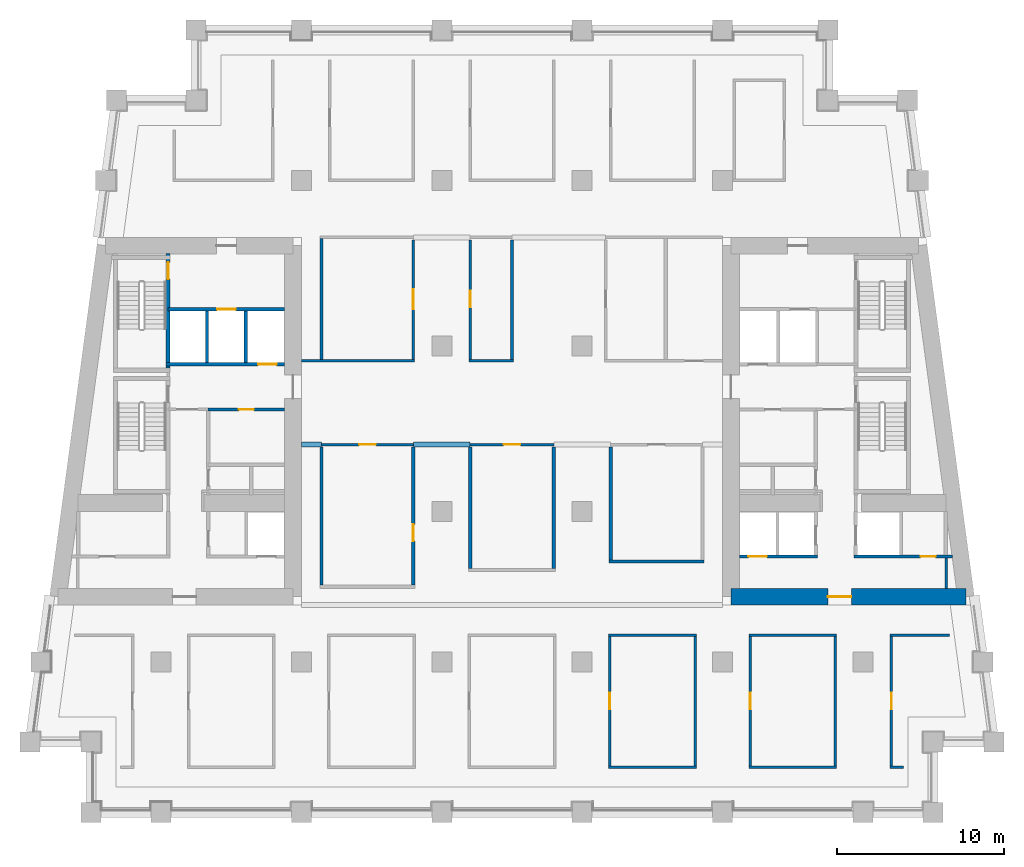
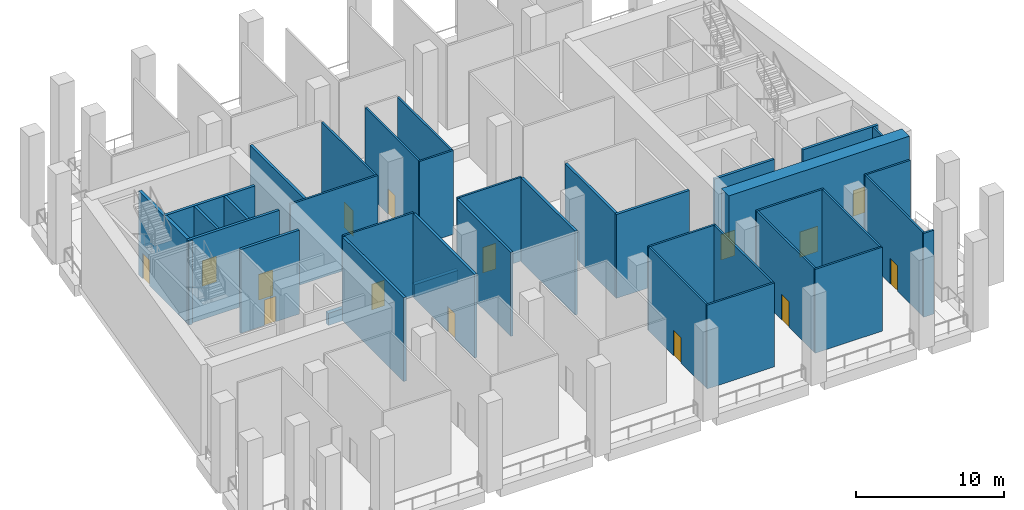
# One storey, part 3 of 10: 37 walls, 15 doors, 15 openings.
"""IFC4 building model written with IfcOpenShell, lengths in metres."""

from ifc_helpers import new_model, si_unit, direction, frame, frame_2d, origin, place, context, subcontext, project, spatial, rectangle, extrude, material, layer, layer_set, type_object, element, fill, save


model = new_model("IFC4")

# Units and contexts
model_context = context("Model", 3, precision=1e-05, world=origin(), true_north=direction((0.0, 1.0)))
body_context = subcontext(model_context, "Body", "Model", "MODEL_VIEW")
ifc_project = project(units=[si_unit("LENGTHUNIT", "METRE"), si_unit("AREAUNIT", "SQUARE_METRE"), si_unit("VOLUMEUNIT", "CUBIC_METRE"), si_unit("PLANEANGLEUNIT", "RADIAN"), si_unit("MASSUNIT", "GRAM", prefix="KILO")], contexts=[model_context])

# Site, building, storey
site_placement = place(None, origin())
site = spatial("IfcSite", under=ifc_project, at=site_placement, CompositionType="ELEMENT")
building_placement = place(site_placement, origin())
building = spatial("IfcBuilding", under=site, at=building_placement, Name="Candeia Pilgrim Tower and Theatre", CompositionType="ELEMENT")
storey_placement = place(building_placement, frame((0.0, 0.0, 135.39990234375)))
storey = spatial("IfcBuildingStorey", under=building, at=storey_placement, Name="L32", CompositionType="ELEMENT", Elevation=135.39990234375)

# Wall, opening, door
ifc_material_1 = material(Name="Concrete C70/85", Category="concrete")
ifc_layer_1 = layer(ifc_material_1, 1.0)
ifc_layer_set_1 = layer_set([ifc_layer_1], Name="Core wall 1000 C70/85")
wall_type_1 = type_object("IfcWallType", Name="Core wall 1000 C70/85", PredefinedType="SHEAR", material=ifc_layer_set_1)
wall_1_placement = place(storey_placement, frame((140.558837890625, 110.89990234375, 0.0), z_axis=(0.0, 0.0, 1.0), x_axis=(-1.0, 0.0, 0.0)))
wall_1 = element("IfcWall", 1, at=wall_1_placement, inside=storey, type_object=wall_type_1, Name="Core wall E3", PredefinedType="SHEAR", context=body_context, shape_type="SweptSolid", body=[
    extrude(rectangle(XDim=14.058837890625, YDim=1.0, at=frame_2d((7.029296875, 0.0))), origin(), (0.0, 0.0, 1.0), 7.400146484375),
])
opening_1_placement = place(wall_1_placement, frame((6.857666015625, 0.0, 0.0)))
opening_1 = element("IfcOpeningElement", 2, at=opening_1_placement, cuts=wall_1, Name="Opening L32-D037", PredefinedType="OPENING", context=body_context, shape_type="SweptSolid", body=[
    extrude(rectangle(XDim=1.39990234375, YDim=2.10009765625, at=frame_2d((0.699951171875, 1.050048828125))), frame((0.0, 0.510009765625, 0.0), z_axis=(0.0, -1.0, 0.0), x_axis=(1.0, 0.0, 0.0)), (0.0, 0.0, 1.0), 1.02001953125),
])
ifc_material_2 = material(Name="Steel fire door set", Category="steel")
door_type_1 = type_object("IfcDoorType", Name="D-1400-FD60", OperationType="NOTDEFINED", PredefinedType="DOOR", material=ifc_material_2)
door_1_placement = place(opening_1_placement, origin())
door_1 = element("IfcDoor", 3, at=door_1_placement, inside=storey, type_object=door_type_1, Name="Door L32-D037", OperationType="SINGLE_SWING_LEFT", OverallHeight=2.10009765625, OverallWidth=1.39990234375, PredefinedType="DOOR", context=body_context, shape_type="SweptSolid", body=[
    extrude(rectangle(XDim=1.39990234375, YDim=2.10009765625, at=frame_2d((0.699951171875, 1.050048828125))), frame((0.0, 0.02490234375, 0.0), z_axis=(0.0, -1.0, 0.0), x_axis=(1.0, 0.0, 0.0)), (0.0, 0.0, 1.0), 0.050048828125),
])
fill(opening_1, door_1)

# Walls
ifc_material_3 = material(Name="Concrete C30/37", Category="concrete")
ifc_layer_2 = layer(ifc_material_3, 0.300048828125)
ifc_layer_set_2 = layer_set([ifc_layer_2], Name="PL-300 planter kerb")
wall_type_2 = type_object("IfcWallType", Name="PL-300 planter kerb", PredefinedType="PARTITIONING", material=ifc_layer_set_2)
wall_2_placement = place(storey_placement, frame((100.800048828125, 120.0, 0.0), z_axis=(0.0, 0.0, 1.0), x_axis=(1.0, 0.0, 0.0)))
element("IfcWall", 4, at=wall_2_placement, inside=storey, type_object=wall_type_2, Name="Planter kerb L32-031", PredefinedType="PARTITIONING", context=body_context, shape_type="SweptSolid", body=[
    extrude(rectangle(XDim=1.199951171875, YDim=0.300048828125, at=frame_2d((0.60009765625, 0.0))), origin(), (0.0, 0.0, 1.0), 1.0),
])
wall_3_placement = place(storey_placement, frame((107.5, 120.0, 0.0), z_axis=(0.0, 0.0, 1.0), x_axis=(1.0, 0.0, 0.0)))
element("IfcWall", 5, at=wall_3_placement, inside=storey, type_object=wall_type_2, Name="Planter kerb L32-032", PredefinedType="PARTITIONING", context=body_context, shape_type="SweptSolid", body=[
    extrude(rectangle(XDim=3.39990234375, YDim=0.300048828125, at=frame_2d((1.699951171875, 0.0))), origin(), (0.0, 0.0, 1.0), 1.0),
])
ifc_material_4 = material(Name="Gypsum board partition on steel studs", Category="steel")
ifc_layer_3 = layer(ifc_material_4, 0.14990234375)
ifc_layer_set_3 = layer_set([ifc_layer_3], Name="PW-150 lobby wall")
wall_type_3 = type_object("IfcWallType", Name="PW-150 lobby wall", PredefinedType="PARTITIONING", material=ifc_layer_set_3)
wall_4_placement = place(storey_placement, frame((139.37109375, 111.39990234375, 0.0), z_axis=(0.0, 0.0, 1.0), x_axis=(0.0, 1.0, 0.0)))
element("IfcWall", 6, at=wall_4_placement, inside=storey, type_object=wall_type_3, Name="Lobby wall L32-134", PredefinedType="PARTITIONING", context=body_context, shape_type="SweptSolid", body=[
    extrude(rectangle(XDim=1.800048828125, YDim=0.14990234375, at=frame_2d((0.89990234375, 0.0))), origin(), (0.0, 0.0, 1.0), 6.900146484375),
])
ifc_layer_4 = layer(ifc_material_4, 0.14990234375)
ifc_layer_set_4 = layer_set([ifc_layer_4], Name="PW-150 unit wall")
wall_type_4 = type_object("IfcWallType", Name="PW-150 unit wall", PredefinedType="PARTITIONING", material=ifc_layer_set_4)
for number, where, z_axis, x_axis, name in (
    (7, (119.175048828125, 100.699951171875, 0.0), (0.0, 0.0, 1.0), (1.0, 0.0, 0.0), "Unit wall L32-005"),
    (8, (127.574951171875, 100.699951171875, 0.0), (0.0, 0.0, 1.0), (1.0, 0.0, 0.0), "Unit wall L32-006"),
):
    element("IfcWall", number, at=place(storey_placement, frame(where, z_axis=z_axis, x_axis=x_axis)), inside=storey, type_object=wall_type_4, Name=name, PredefinedType="PARTITIONING", context=body_context, shape_type="SweptSolid", body=[
        extrude(rectangle(XDim=5.25, YDim=0.14990234375, at=frame_2d((2.625, 0.0))), origin(), (0.0, 0.0, 1.0), 6.900146484375),
    ])
wall_5_placement = place(storey_placement, frame((136.02490234375, 100.699951171875, 0.0), z_axis=(0.0, 0.0, 1.0), x_axis=(1.0, 0.0, 0.0)))
element("IfcWall", 9, at=wall_5_placement, inside=storey, type_object=wall_type_4, Name="Unit wall L32-007", PredefinedType="PARTITIONING", context=body_context, shape_type="SweptSolid", body=[
    extrude(rectangle(XDim=0.78515625, YDim=0.14990234375, at=frame_2d((0.392578125, 0.0))), origin(), (0.0, 0.0, 1.0), 6.900146484375),
])
for number, where, z_axis, x_axis, name in (
    (10, (119.175048828125, 108.60009765625, 0.0), (0.0, 0.0, 1.0), (1.0, 0.0, 0.0), "Unit wall L32-012"),
    (11, (127.574951171875, 108.60009765625, 0.0), (0.0, 0.0, 1.0), (1.0, 0.0, 0.0), "Unit wall L32-013"),
):
    element("IfcWall", number, at=place(storey_placement, frame(where, z_axis=z_axis, x_axis=x_axis)), inside=storey, type_object=wall_type_4, Name=name, PredefinedType="PARTITIONING", context=body_context, shape_type="SweptSolid", body=[
        extrude(rectangle(XDim=5.25, YDim=0.14990234375, at=frame_2d((2.625, 0.0))), origin(), (0.0, 0.0, 1.0), 6.900146484375),
    ])
wall_6_placement = place(storey_placement, frame((136.02490234375, 108.60009765625, 0.0), z_axis=(0.0, 0.0, 1.0), x_axis=(1.0, 0.0, 0.0)))
element("IfcWall", 12, at=wall_6_placement, inside=storey, type_object=wall_type_4, Name="Unit wall L32-014", PredefinedType="PARTITIONING", context=body_context, shape_type="SweptSolid", body=[
    extrude(rectangle(XDim=3.5419921875, YDim=0.14990234375, at=frame_2d((1.77099609375, 0.0))), origin(), (0.0, 0.0, 1.0), 6.900146484375),
])

# Wall, opening, door
wall_7_placement = place(storey_placement, frame((102.0, 120.0, 0.0), z_axis=(0.0, 0.0, 1.0), x_axis=(1.0, 0.0, 0.0)))
wall_7 = element("IfcWall", 13, at=wall_7_placement, inside=storey, type_object=wall_type_4, Name="Unit wall L32-035", PredefinedType="PARTITIONING", context=body_context, shape_type="SweptSolid", body=[
    extrude(rectangle(XDim=5.5, YDim=0.14990234375, at=frame_2d((2.75, 0.0))), origin(), (0.0, 0.0, 1.0), 6.900146484375),
])
opening_2_placement = place(wall_7_placement, frame((2.25, 0.0, 0.0)))
opening_2 = element("IfcOpeningElement", 14, at=opening_2_placement, cuts=wall_7, Name="Opening L32-D001", PredefinedType="OPENING", context=body_context, shape_type="SweptSolid", body=[
    extrude(rectangle(XDim=1.0, YDim=2.10009765625, at=frame_2d((0.5, 1.050048828125))), frame((0.0, 0.0849609375, 0.0), z_axis=(0.0, -1.0, 0.0), x_axis=(1.0, 0.0, 0.0)), (0.0, 0.0, 1.0), 0.169921875),
])
ifc_material_5 = material(Name="Timber door leaf", Category="wood")
door_type_2 = type_object("IfcDoorType", Name="D-1000", OperationType="NOTDEFINED", PredefinedType="DOOR", material=ifc_material_5)
door_2_placement = place(opening_2_placement, origin())
door_2 = element("IfcDoor", 15, at=door_2_placement, inside=storey, type_object=door_type_2, Name="Door L32-D001", OperationType="SINGLE_SWING_LEFT", OverallHeight=2.10009765625, OverallWidth=1.0, PredefinedType="DOOR", context=body_context, shape_type="SweptSolid", body=[
    extrude(rectangle(XDim=1.0, YDim=2.10009765625, at=frame_2d((0.5, 1.050048828125))), frame((0.0, 0.02490234375, 0.0), z_axis=(0.0, -1.0, 0.0), x_axis=(1.0, 0.0, 0.0)), (0.0, 0.0, 1.0), 0.050048828125),
])
fill(opening_2, door_2)

wall_8_placement = place(storey_placement, frame((110.89990234375, 120.0, 0.0), z_axis=(0.0, 0.0, 1.0), x_axis=(1.0, 0.0, 0.0)))
wall_8 = element("IfcWall", 16, at=wall_8_placement, inside=storey, type_object=wall_type_4, Name="Unit wall L32-036", PredefinedType="PARTITIONING", context=body_context, shape_type="SweptSolid", body=[
    extrude(rectangle(XDim=5.0, YDim=0.14990234375, at=frame_2d((2.5, 0.0))), origin(), (0.0, 0.0, 1.0), 6.900146484375),
])
opening_3_placement = place(wall_8_placement, frame((2.0, 0.0, 0.0)))
opening_3 = element("IfcOpeningElement", 17, at=opening_3_placement, cuts=wall_8, Name="Opening L32-D002", PredefinedType="OPENING", context=body_context, shape_type="SweptSolid", body=[
    extrude(rectangle(XDim=1.0, YDim=2.10009765625, at=frame_2d((0.5, 1.050048828125))), frame((0.0, 0.0849609375, 0.0), z_axis=(0.0, -1.0, 0.0), x_axis=(1.0, 0.0, 0.0)), (0.0, 0.0, 1.0), 0.169921875),
])
door_3_placement = place(opening_3_placement, origin())
door_3 = element("IfcDoor", 18, at=door_3_placement, inside=storey, type_object=door_type_2, Name="Door L32-D002", OperationType="SINGLE_SWING_RIGHT", OverallHeight=2.10009765625, OverallWidth=1.0, PredefinedType="DOOR", context=body_context, shape_type="SweptSolid", body=[
    extrude(rectangle(XDim=1.0, YDim=2.10009765625, at=frame_2d((0.5, 1.050048828125))), frame((0.0, 0.02490234375, 0.0), z_axis=(0.0, -1.0, 0.0), x_axis=(1.0, 0.0, 0.0)), (0.0, 0.0, 1.0), 0.050048828125),
])
fill(opening_3, door_3)

# Walls
wall_9_placement = place(storey_placement, frame((100.800048828125, 125.0, 0.0), z_axis=(0.0, 0.0, 1.0), x_axis=(1.0, 0.0, 0.0)))
element("IfcWall", 19, at=wall_9_placement, inside=storey, type_object=wall_type_4, Name="Unit wall L32-049", PredefinedType="PARTITIONING", context=body_context, shape_type="SweptSolid", body=[
    extrude(rectangle(XDim=6.77490234375, YDim=0.14990234375, at=frame_2d((3.387451171875, 0.0))), origin(), (0.0, 0.0, 1.0), 6.900146484375),
])
wall_10_placement = place(storey_placement, frame((110.824951171875, 125.0, 0.0), z_axis=(0.0, 0.0, 1.0), x_axis=(1.0, 0.0, 0.0)))
element("IfcWall", 20, at=wall_10_placement, inside=storey, type_object=wall_type_4, Name="Unit wall L32-050", PredefinedType="PARTITIONING", context=body_context, shape_type="SweptSolid", body=[
    extrude(rectangle(XDim=2.650146484375, YDim=0.14990234375, at=frame_2d((1.3251953125, 0.0))), origin(), (0.0, 0.0, 1.0), 6.900146484375),
])

# Wall, opening, door
wall_11_placement = place(storey_placement, frame((107.5, 125.074951171875, 0.0), z_axis=(0.0, 0.0, 1.0), x_axis=(0.0, 1.0, 0.0)))
wall_11 = element("IfcWall", 21, at=wall_11_placement, inside=storey, type_object=wall_type_4, Name="Unit wall L32-094", PredefinedType="PARTITIONING", context=body_context, shape_type="SweptSolid", body=[
    extrude(rectangle(XDim=7.175048828125, YDim=0.14990234375, at=frame_2d((3.58740234375, 0.0))), origin(), (0.0, 0.0, 1.0), 6.900146484375),
])
opening_4_placement = place(wall_11_placement, frame((3.02490234375, 0.0, 0.0)))
opening_4 = element("IfcOpeningElement", 22, at=opening_4_placement, cuts=wall_11, Name="Opening L32-D003", PredefinedType="OPENING", context=body_context, shape_type="SweptSolid", body=[
    extrude(rectangle(XDim=1.199951171875, YDim=2.10009765625, at=frame_2d((0.60009765625, 1.050048828125))), frame((0.0, 0.0849609375, 0.0), z_axis=(0.0, -1.0, 0.0), x_axis=(1.0, 0.0, 0.0)), (0.0, 0.0, 1.0), 0.169921875),
])
door_type_3 = type_object("IfcDoorType", Name="D-1200", OperationType="NOTDEFINED", PredefinedType="DOOR", material=ifc_material_5)
door_4_placement = place(opening_4_placement, origin())
door_4 = element("IfcDoor", 23, at=door_4_placement, inside=storey, type_object=door_type_3, Name="Door L32-D003", OperationType="SINGLE_SWING_LEFT", OverallHeight=2.10009765625, OverallWidth=1.199951171875, PredefinedType="DOOR", context=body_context, shape_type="SweptSolid", body=[
    extrude(rectangle(XDim=1.199951171875, YDim=2.10009765625, at=frame_2d((0.60009765625, 1.050048828125))), frame((0.0, 0.02490234375, 0.0), z_axis=(0.0, -1.0, 0.0), x_axis=(1.0, 0.0, 0.0)), (0.0, 0.0, 1.0), 0.050048828125),
])
fill(opening_4, door_4)

wall_12_placement = place(storey_placement, frame((110.89990234375, 125.074951171875, 0.0), z_axis=(0.0, 0.0, 1.0), x_axis=(0.0, 1.0, 0.0)))
wall_12 = element("IfcWall", 24, at=wall_12_placement, inside=storey, type_object=wall_type_4, Name="Unit wall L32-099", PredefinedType="PARTITIONING", context=body_context, shape_type="SweptSolid", body=[
    extrude(rectangle(XDim=7.175048828125, YDim=0.14990234375, at=frame_2d((3.58740234375, 0.0))), origin(), (0.0, 0.0, 1.0), 6.900146484375),
])
opening_5_placement = place(wall_12_placement, frame((3.125, 0.0, 0.0)))
opening_5 = element("IfcOpeningElement", 25, at=opening_5_placement, cuts=wall_12, Name="Opening L32-D004", PredefinedType="OPENING", context=body_context, shape_type="SweptSolid", body=[
    extrude(rectangle(XDim=1.0, YDim=2.10009765625, at=frame_2d((0.5, 1.050048828125))), frame((0.0, 0.0849609375, 0.0), z_axis=(0.0, -1.0, 0.0), x_axis=(1.0, 0.0, 0.0)), (0.0, 0.0, 1.0), 0.169921875),
])
door_5_placement = place(opening_5_placement, origin())
door_5 = element("IfcDoor", 26, at=door_5_placement, inside=storey, type_object=door_type_2, Name="Door L32-D004", OperationType="SINGLE_SWING_RIGHT", OverallHeight=2.10009765625, OverallWidth=1.0, PredefinedType="DOOR", context=body_context, shape_type="SweptSolid", body=[
    extrude(rectangle(XDim=1.0, YDim=2.10009765625, at=frame_2d((0.5, 1.050048828125))), frame((0.0, 0.02490234375, 0.0), z_axis=(0.0, -1.0, 0.0), x_axis=(1.0, 0.0, 0.0)), (0.0, 0.0, 1.0), 0.050048828125),
])
fill(opening_5, door_5)

# Wall
wall_13_placement = place(storey_placement, frame((113.39990234375, 125.074951171875, 0.0), z_axis=(0.0, 0.0, 1.0), x_axis=(0.0, 1.0, 0.0)))
element("IfcWall", 27, at=wall_13_placement, inside=storey, type_object=wall_type_4, Name="Unit wall L32-101", PredefinedType="PARTITIONING", context=body_context, shape_type="SweptSolid", body=[
    extrude(rectangle(XDim=7.175048828125, YDim=0.14990234375, at=frame_2d((3.58740234375, 0.0))), origin(), (0.0, 0.0, 1.0), 6.900146484375),
])

# Wall, opening, door
wall_14_placement = place(storey_placement, frame((119.25, 100.77490234375, 0.0), z_axis=(0.0, 0.0, 1.0), x_axis=(0.0, 1.0, 0.0)))
wall_14 = element("IfcWall", 28, at=wall_14_placement, inside=storey, type_object=wall_type_4, Name="Unit wall L32-106", PredefinedType="PARTITIONING", context=body_context, shape_type="SweptSolid", body=[
    extrude(rectangle(XDim=7.75, YDim=0.14990234375, at=frame_2d((3.875, 0.0))), origin(), (0.0, 0.0, 1.0), 6.900146484375),
])
opening_6_placement = place(wall_14_placement, frame((3.375, 0.0, 0.0)))
opening_6 = element("IfcOpeningElement", 29, at=opening_6_placement, cuts=wall_14, Name="Opening L32-D012", PredefinedType="OPENING", context=body_context, shape_type="SweptSolid", body=[
    extrude(rectangle(XDim=1.0, YDim=2.10009765625, at=frame_2d((0.5, 1.050048828125))), frame((0.0, 0.0849609375, 0.0), z_axis=(0.0, -1.0, 0.0), x_axis=(1.0, 0.0, 0.0)), (0.0, 0.0, 1.0), 0.169921875),
])
door_6_placement = place(opening_6_placement, origin())
door_6 = element("IfcDoor", 30, at=door_6_placement, inside=storey, type_object=door_type_2, Name="Door L32-D012", OperationType="SINGLE_SWING_RIGHT", OverallHeight=2.10009765625, OverallWidth=1.0, PredefinedType="DOOR", context=body_context, shape_type="SweptSolid", body=[
    extrude(rectangle(XDim=1.0, YDim=2.10009765625, at=frame_2d((0.5, 1.050048828125))), frame((0.0, 0.02490234375, 0.0), z_axis=(0.0, -1.0, 0.0), x_axis=(1.0, 0.0, 0.0)), (0.0, 0.0, 1.0), 0.050048828125),
])
fill(opening_6, door_6)

# Wall
wall_15_placement = place(storey_placement, frame((124.35009765625, 100.77490234375, 0.0), z_axis=(0.0, 0.0, 1.0), x_axis=(0.0, 1.0, 0.0)))
element("IfcWall", 31, at=wall_15_placement, inside=storey, type_object=wall_type_4, Name="Unit wall L32-111", PredefinedType="PARTITIONING", context=body_context, shape_type="SweptSolid", body=[
    extrude(rectangle(XDim=7.75, YDim=0.14990234375, at=frame_2d((3.875, 0.0))), origin(), (0.0, 0.0, 1.0), 6.900146484375),
])

# Wall, opening, door
wall_16_placement = place(storey_placement, frame((127.64990234375, 100.77490234375, 0.0), z_axis=(0.0, 0.0, 1.0), x_axis=(0.0, 1.0, 0.0)))
wall_16 = element("IfcWall", 32, at=wall_16_placement, inside=storey, type_object=wall_type_4, Name="Unit wall L32-114", PredefinedType="PARTITIONING", context=body_context, shape_type="SweptSolid", body=[
    extrude(rectangle(XDim=7.75, YDim=0.14990234375, at=frame_2d((3.875, 0.0))), origin(), (0.0, 0.0, 1.0), 6.900146484375),
])
opening_7_placement = place(wall_16_placement, frame((3.375, 0.0, 0.0)))
opening_7 = element("IfcOpeningElement", 33, at=opening_7_placement, cuts=wall_16, Name="Opening L32-D013", PredefinedType="OPENING", context=body_context, shape_type="SweptSolid", body=[
    extrude(rectangle(XDim=1.0, YDim=2.10009765625, at=frame_2d((0.5, 1.050048828125))), frame((0.0, 0.0849609375, 0.0), z_axis=(0.0, -1.0, 0.0), x_axis=(1.0, 0.0, 0.0)), (0.0, 0.0, 1.0), 0.169921875),
])
door_7_placement = place(opening_7_placement, origin())
door_7 = element("IfcDoor", 34, at=door_7_placement, inside=storey, type_object=door_type_2, Name="Door L32-D013", OperationType="SINGLE_SWING_LEFT", OverallHeight=2.10009765625, OverallWidth=1.0, PredefinedType="DOOR", context=body_context, shape_type="SweptSolid", body=[
    extrude(rectangle(XDim=1.0, YDim=2.10009765625, at=frame_2d((0.5, 1.050048828125))), frame((0.0, 0.02490234375, 0.0), z_axis=(0.0, -1.0, 0.0), x_axis=(1.0, 0.0, 0.0)), (0.0, 0.0, 1.0), 0.050048828125),
])
fill(opening_7, door_7)

# Wall
wall_17_placement = place(storey_placement, frame((132.75, 100.77490234375, 0.0), z_axis=(0.0, 0.0, 1.0), x_axis=(0.0, 1.0, 0.0)))
element("IfcWall", 35, at=wall_17_placement, inside=storey, type_object=wall_type_4, Name="Unit wall L32-123", PredefinedType="PARTITIONING", context=body_context, shape_type="SweptSolid", body=[
    extrude(rectangle(XDim=7.75, YDim=0.14990234375, at=frame_2d((3.875, 0.0))), origin(), (0.0, 0.0, 1.0), 6.900146484375),
])

# Wall, opening, door
wall_18_placement = place(storey_placement, frame((136.10009765625, 100.77490234375, 0.0), z_axis=(0.0, 0.0, 1.0), x_axis=(0.0, 1.0, 0.0)))
wall_18 = element("IfcWall", 36, at=wall_18_placement, inside=storey, type_object=wall_type_4, Name="Unit wall L32-129", PredefinedType="PARTITIONING", context=body_context, shape_type="SweptSolid", body=[
    extrude(rectangle(XDim=7.75, YDim=0.14990234375, at=frame_2d((3.875, 0.0))), origin(), (0.0, 0.0, 1.0), 6.900146484375),
])
opening_8_placement = place(wall_18_placement, frame((3.375, 0.0, 0.0)))
opening_8 = element("IfcOpeningElement", 37, at=opening_8_placement, cuts=wall_18, Name="Opening L32-D014", PredefinedType="OPENING", context=body_context, shape_type="SweptSolid", body=[
    extrude(rectangle(XDim=1.0, YDim=2.10009765625, at=frame_2d((0.5, 1.050048828125))), frame((0.0, 0.0849609375, 0.0), z_axis=(0.0, -1.0, 0.0), x_axis=(1.0, 0.0, 0.0)), (0.0, 0.0, 1.0), 0.169921875),
])
door_8_placement = place(opening_8_placement, origin())
door_8 = element("IfcDoor", 38, at=door_8_placement, inside=storey, type_object=door_type_2, Name="Door L32-D014", OperationType="SINGLE_SWING_RIGHT", OverallHeight=2.10009765625, OverallWidth=1.0, PredefinedType="DOOR", context=body_context, shape_type="SweptSolid", body=[
    extrude(rectangle(XDim=1.0, YDim=2.10009765625, at=frame_2d((0.5, 1.050048828125))), frame((0.0, 0.02490234375, 0.0), z_axis=(0.0, -1.0, 0.0), x_axis=(1.0, 0.0, 0.0)), (0.0, 0.0, 1.0), 0.050048828125),
])
fill(opening_8, door_8)

# Walls
ifc_layer_5 = layer(ifc_material_4, 0.199951171875)
ifc_layer_set_5 = layer_set([ifc_layer_5], Name="PW-200 party wall")
wall_type_5 = type_object("IfcWallType", Name="PW-200 party wall", PredefinedType="PARTITIONING", material=ifc_layer_set_5)
wall_19_placement = place(storey_placement, frame((119.199951171875, 113.0, 0.0), z_axis=(0.0, 0.0, 1.0), x_axis=(1.0, 0.0, 0.0)))
element("IfcWall", 39, at=wall_19_placement, inside=storey, type_object=wall_type_5, Name="Party wall L32-018", PredefinedType="PARTITIONING", context=body_context, shape_type="SweptSolid", body=[
    extrude(rectangle(XDim=5.699951171875, YDim=0.199951171875, at=frame_2d((2.85009765625, 0.0))), origin(), (0.0, 0.0, 1.0), 6.900146484375),
])
wall_20_placement = place(storey_placement, frame((102.0, 111.60009765625, 0.0), z_axis=(0.0, 0.0, 1.0), x_axis=(0.0, 1.0, 0.0)))
element("IfcWall", 40, at=wall_20_placement, inside=storey, type_object=wall_type_5, Name="Party wall L32-089", PredefinedType="PARTITIONING", context=body_context, shape_type="SweptSolid", body=[
    extrude(rectangle(XDim=8.25, YDim=0.199951171875, at=frame_2d((4.125, 0.0))), origin(), (0.0, 0.0, 1.0), 6.900146484375),
])
wall_21_placement = place(storey_placement, frame((102.0, 125.074951171875, 0.0), z_axis=(0.0, 0.0, 1.0), x_axis=(0.0, 1.0, 0.0)))
element("IfcWall", 41, at=wall_21_placement, inside=storey, type_object=wall_type_5, Name="Party wall L32-090", PredefinedType="PARTITIONING", context=body_context, shape_type="SweptSolid", body=[
    extrude(rectangle(XDim=7.25, YDim=0.199951171875, at=frame_2d((3.625, 0.0))), origin(), (0.0, 0.0, 1.0), 6.900146484375),
])

# Wall, opening, door
wall_22_placement = place(storey_placement, frame((107.5, 111.60009765625, 0.0), z_axis=(0.0, 0.0, 1.0), x_axis=(0.0, 1.0, 0.0)))
wall_22 = element("IfcWall", 42, at=wall_22_placement, inside=storey, type_object=wall_type_5, Name="Party wall L32-093", PredefinedType="PARTITIONING", context=body_context, shape_type="SweptSolid", body=[
    extrude(rectangle(XDim=8.25, YDim=0.199951171875, at=frame_2d((4.125, 0.0))), origin(), (0.0, 0.0, 1.0), 6.900146484375),
])
opening_9_placement = place(wall_22_placement, frame((2.6298828125, 0.0, 0.0)))
opening_9 = element("IfcOpeningElement", 43, at=opening_9_placement, cuts=wall_22, Name="Opening L32-D020", PredefinedType="OPENING", context=body_context, shape_type="SweptSolid", body=[
    extrude(rectangle(XDim=1.0, YDim=2.10009765625, at=frame_2d((0.5, 1.050048828125))), frame((0.0, 0.10986328125, 0.0), z_axis=(0.0, -1.0, 0.0), x_axis=(1.0, 0.0, 0.0)), (0.0, 0.0, 1.0), 0.219970703125),
])
door_9_placement = place(opening_9_placement, origin())
door_9 = element("IfcDoor", 44, at=door_9_placement, inside=storey, type_object=door_type_2, Name="Door L32-D020", OperationType="SINGLE_SWING_RIGHT", OverallHeight=2.10009765625, OverallWidth=1.0, PredefinedType="DOOR", context=body_context, shape_type="SweptSolid", body=[
    extrude(rectangle(XDim=1.0, YDim=2.10009765625, at=frame_2d((0.5, 1.050048828125))), frame((0.0, 0.02490234375, 0.0), z_axis=(0.0, -1.0, 0.0), x_axis=(1.0, 0.0, 0.0)), (0.0, 0.0, 1.0), 0.050048828125),
])
fill(opening_9, door_9)

# Walls
for number, where, z_axis, x_axis, name in (
    (45, (110.89990234375, 112.60009765625, 0.0), (0.0, 0.0, 1.0), (0.0, 1.0, 0.0), "Party wall L32-098"),
    (46, (115.89990234375, 112.60009765625, 0.0), (0.0, 0.0, 1.0), (0.0, 1.0, 0.0), "Party wall L32-102"),
):
    element("IfcWall", number, at=place(storey_placement, frame(where, z_axis=z_axis, x_axis=x_axis)), inside=storey, type_object=wall_type_5, Name=name, PredefinedType="PARTITIONING", context=body_context, shape_type="SweptSolid", body=[
        extrude(rectangle(XDim=7.25, YDim=0.199951171875, at=frame_2d((3.625, 0.0))), origin(), (0.0, 0.0, 1.0), 6.900146484375),
    ])
wall_23_placement = place(storey_placement, frame((119.300048828125, 113.10009765625, 0.0), z_axis=(0.0, 0.0, 1.0), x_axis=(0.0, 1.0, 0.0)))
element("IfcWall", 47, at=wall_23_placement, inside=storey, type_object=wall_type_5, Name="Party wall L32-107", PredefinedType="PARTITIONING", context=body_context, shape_type="SweptSolid", body=[
    extrude(rectangle(XDim=6.75, YDim=0.199951171875, at=frame_2d((3.375, 0.0))), origin(), (0.0, 0.0, 1.0), 6.900146484375),
])

# Wall, opening, door
ifc_material_6 = material(Name="Concrete C40/50", Category="concrete")
ifc_layer_6 = layer(ifc_material_6, 0.199951171875)
ifc_layer_set_6 = layer_set([ifc_layer_6], Name="SW-200 shaft wall")
wall_type_6 = type_object("IfcWallType", Name="SW-200 shaft wall", PredefinedType="PARTITIONING", material=ifc_layer_set_6)
wall_24_placement = place(storey_placement, frame((127.0, 113.300048828125, 0.0), z_axis=(0.0, 0.0, 1.0), x_axis=(1.0, 0.0, 0.0)))
wall_24 = element("IfcWall", 48, at=wall_24_placement, inside=storey, type_object=wall_type_6, Name="Shaft wall L32-021", PredefinedType="PARTITIONING", context=body_context, shape_type="SweptSolid", body=[
    extrude(rectangle(XDim=4.673095703125, YDim=0.199951171875, at=frame_2d((2.33642578125, 0.0))), origin(), (0.0, 0.0, 1.0), 6.900146484375),
])
opening_10_placement = place(wall_24_placement, frame((0.544921875, 0.0, 0.0)))
opening_10 = element("IfcOpeningElement", 49, at=opening_10_placement, cuts=wall_24, Name="Opening L32-LD08", PredefinedType="OPENING", context=body_context, shape_type="SweptSolid", body=[
    extrude(rectangle(XDim=1.10009765625, YDim=2.10009765625, at=frame_2d((0.550048828125, 1.050048828125))), frame((0.0, 0.10986328125, 0.0), z_axis=(0.0, -1.0, 0.0), x_axis=(1.0, 0.0, 0.0)), (0.0, 0.0, 1.0), 0.219970703125),
])
ifc_material_7 = material(Name="Glazed aluminium landing door", Category="aluminium")
door_type_4 = type_object("IfcDoorType", Name="LD-1100-EI120", OperationType="SLIDING_TO_LEFT", PredefinedType="DOOR", material=ifc_material_7)
door_10_placement = place(opening_10_placement, origin())
door_10 = element("IfcDoor", 50, at=door_10_placement, inside=storey, type_object=door_type_4, Name="Landing door 08 L32", OperationType="SLIDING_TO_LEFT", OverallHeight=2.10009765625, OverallWidth=1.10009765625, PredefinedType="DOOR", context=body_context, shape_type="SweptSolid", body=[
    extrude(rectangle(XDim=1.10009765625, YDim=2.10009765625, at=frame_2d((0.550048828125, 1.050048828125))), frame((0.0, 0.02490234375, 0.0), z_axis=(0.0, -1.0, 0.0), x_axis=(1.0, 0.0, 0.0)), (0.0, 0.0, 1.0), 0.050048828125),
])
fill(opening_10, door_10)

wall_25_placement = place(storey_placement, frame((133.873046875, 113.300048828125, 0.0), z_axis=(0.0, 0.0, 1.0), x_axis=(1.0, 0.0, 0.0)))
wall_25 = element("IfcWall", 51, at=wall_25_placement, inside=storey, type_object=wall_type_6, Name="Shaft wall L32-022", PredefinedType="PARTITIONING", context=body_context, shape_type="SweptSolid", body=[
    extrude(rectangle(XDim=5.888427734375, YDim=0.199951171875, at=frame_2d((2.9443359375, 0.0))), origin(), (0.0, 0.0, 1.0), 6.900146484375),
])
opening_11_placement = place(wall_25_placement, frame((3.972900390625, 0.0, 0.0)))
opening_11 = element("IfcOpeningElement", 52, at=opening_11_placement, cuts=wall_25, Name="Opening L32-D033", PredefinedType="OPENING", context=body_context, shape_type="SweptSolid", body=[
    extrude(rectangle(XDim=0.89990234375, YDim=2.10009765625, at=frame_2d((0.449951171875, 1.050048828125))), frame((0.0, 0.10986328125, 0.0), z_axis=(0.0, -1.0, 0.0), x_axis=(1.0, 0.0, 0.0)), (0.0, 0.0, 1.0), 0.219970703125),
])
door_type_5 = type_object("IfcDoorType", Name="D-900-FD60", OperationType="NOTDEFINED", PredefinedType="DOOR", material=ifc_material_2)
door_11_placement = place(opening_11_placement, origin())
door_11 = element("IfcDoor", 53, at=door_11_placement, inside=storey, type_object=door_type_5, Name="Door L32-D033", OperationType="SINGLE_SWING_LEFT", OverallHeight=2.10009765625, OverallWidth=0.89990234375, PredefinedType="DOOR", context=body_context, shape_type="SweptSolid", body=[
    extrude(rectangle(XDim=0.89990234375, YDim=2.10009765625, at=frame_2d((0.449951171875, 1.050048828125))), frame((0.0, 0.02490234375, 0.0), z_axis=(0.0, -1.0, 0.0), x_axis=(1.0, 0.0, 0.0)), (0.0, 0.0, 1.0), 0.050048828125),
])
fill(opening_11, door_11)

wall_26_placement = place(storey_placement, frame((95.22705078125, 122.10009765625, 0.0), z_axis=(0.0, 0.0, 1.0), x_axis=(1.0, 0.0, 0.0)))
wall_26 = element("IfcWall", 54, at=wall_26_placement, inside=storey, type_object=wall_type_6, Name="Shaft wall L32-038", PredefinedType="PARTITIONING", context=body_context, shape_type="SweptSolid", body=[
    extrude(rectangle(XDim=4.572998046875, YDim=0.199951171875, at=frame_2d((2.28662109375, 0.0))), origin(), (0.0, 0.0, 1.0), 6.900146484375),
])
opening_12_placement = place(wall_26_placement, frame((1.8359375, 0.0, 0.0)))
opening_12 = element("IfcOpeningElement", 55, at=opening_12_placement, cuts=wall_26, Name="Opening L32-D022", PredefinedType="OPENING", context=body_context, shape_type="SweptSolid", body=[
    extrude(rectangle(XDim=0.89990234375, YDim=2.10009765625, at=frame_2d((0.449951171875, 1.050048828125))), frame((0.0, 0.10986328125, 0.0), z_axis=(0.0, -1.0, 0.0), x_axis=(1.0, 0.0, 0.0)), (0.0, 0.0, 1.0), 0.219970703125),
])
door_12_placement = place(opening_12_placement, origin())
door_12 = element("IfcDoor", 56, at=door_12_placement, inside=storey, type_object=door_type_5, Name="Door L32-D022", OperationType="SINGLE_SWING_RIGHT", OverallHeight=2.10009765625, OverallWidth=0.89990234375, PredefinedType="DOOR", context=body_context, shape_type="SweptSolid", body=[
    extrude(rectangle(XDim=0.89990234375, YDim=2.10009765625, at=frame_2d((0.449951171875, 1.050048828125))), frame((0.0, 0.02490234375, 0.0), z_axis=(0.0, -1.0, 0.0), x_axis=(1.0, 0.0, 0.0)), (0.0, 0.0, 1.0), 0.050048828125),
])
fill(opening_12, door_12)

wall_27_placement = place(storey_placement, frame((92.701904296875, 124.800048828125, 0.0), z_axis=(0.0, 0.0, 1.0), x_axis=(1.0, 0.0, 0.0)))
wall_27 = element("IfcWall", 57, at=wall_27_placement, inside=storey, type_object=wall_type_6, Name="Shaft wall L32-046", PredefinedType="PARTITIONING", context=body_context, shape_type="SweptSolid", body=[
    extrude(rectangle(XDim=7.09814453125, YDim=0.199951171875, at=frame_2d((3.549072265625, 0.0))), origin(), (0.0, 0.0, 1.0), 6.900146484375),
])
opening_13_placement = place(wall_27_placement, frame((5.51708984375, 0.0, 0.0)))
opening_13 = element("IfcOpeningElement", 58, at=opening_13_placement, cuts=wall_27, Name="Opening L32-LD02", PredefinedType="OPENING", context=body_context, shape_type="SweptSolid", body=[
    extrude(rectangle(XDim=1.10009765625, YDim=2.10009765625, at=frame_2d((0.550048828125, 1.050048828125))), frame((0.0, 0.10986328125, 0.0), z_axis=(0.0, -1.0, 0.0), x_axis=(1.0, 0.0, 0.0)), (0.0, 0.0, 1.0), 0.219970703125),
])
door_13_placement = place(opening_13_placement, origin())
door_13 = element("IfcDoor", 59, at=door_13_placement, inside=storey, type_object=door_type_4, Name="Landing door 02 L32", OperationType="SLIDING_TO_LEFT", OverallHeight=2.10009765625, OverallWidth=1.10009765625, PredefinedType="DOOR", context=body_context, shape_type="SweptSolid", body=[
    extrude(rectangle(XDim=1.10009765625, YDim=2.10009765625, at=frame_2d((0.550048828125, 1.050048828125))), frame((0.0, 0.02490234375, 0.0), z_axis=(0.0, -1.0, 0.0), x_axis=(1.0, 0.0, 0.0)), (0.0, 0.0, 1.0), 0.050048828125),
])
fill(opening_13, door_13)

wall_28_placement = place(storey_placement, frame((92.826904296875, 128.10009765625, 0.0), z_axis=(0.0, 0.0, 1.0), x_axis=(1.0, 0.0, 0.0)))
wall_28 = element("IfcWall", 60, at=wall_28_placement, inside=storey, type_object=wall_type_6, Name="Shaft wall L32-052", PredefinedType="PARTITIONING", context=body_context, shape_type="SweptSolid", body=[
    extrude(rectangle(XDim=6.97314453125, YDim=0.199951171875, at=frame_2d((3.486572265625, 0.0))), origin(), (0.0, 0.0, 1.0), 6.900146484375),
])
opening_14_placement = place(wall_28_placement, frame((2.93701171875, 0.0, 0.0)))
opening_14 = element("IfcOpeningElement", 61, at=opening_14_placement, cuts=wall_28, Name="Opening L32-LD01", PredefinedType="OPENING", context=body_context, shape_type="SweptSolid", body=[
    extrude(rectangle(XDim=1.10009765625, YDim=2.10009765625, at=frame_2d((0.550048828125, 1.050048828125))), frame((0.0, 0.10986328125, 0.0), z_axis=(0.0, -1.0, 0.0), x_axis=(1.0, 0.0, 0.0)), (0.0, 0.0, 1.0), 0.219970703125),
])
door_14_placement = place(opening_14_placement, origin())
door_14 = element("IfcDoor", 62, at=door_14_placement, inside=storey, type_object=door_type_4, Name="Landing door 01 L32", OperationType="SLIDING_TO_LEFT", OverallHeight=2.10009765625, OverallWidth=1.10009765625, PredefinedType="DOOR", context=body_context, shape_type="SweptSolid", body=[
    extrude(rectangle(XDim=1.10009765625, YDim=2.10009765625, at=frame_2d((0.550048828125, 1.050048828125))), frame((0.0, 0.02490234375, 0.0), z_axis=(0.0, -1.0, 0.0), x_axis=(1.0, 0.0, 0.0)), (0.0, 0.0, 1.0), 0.050048828125),
])
fill(opening_14, door_14)

# Walls
for number, where, z_axis, x_axis, name in (
    (63, (95.1513671875, 124.89990234375, 0.0), (0.0, 0.0, 1.0), (0.0, 1.0, 0.0), "Shaft wall L32-081"),
    (64, (97.4755859375, 124.89990234375, 0.0), (0.0, 0.0, 1.0), (0.0, 1.0, 0.0), "Shaft wall L32-084"),
):
    element("IfcWall", number, at=place(storey_placement, frame(where, z_axis=z_axis, x_axis=x_axis)), inside=storey, type_object=wall_type_6, Name=name, PredefinedType="PARTITIONING", context=body_context, shape_type="SweptSolid", body=[
        extrude(rectangle(XDim=3.10009765625, YDim=0.199951171875, at=frame_2d((1.550048828125, 0.0))), origin(), (0.0, 0.0, 1.0), 6.900146484375),
    ])

# Wall, opening, door
ifc_layer_7 = layer(ifc_material_6, 0.25)
ifc_layer_set_7 = layer_set([ifc_layer_7], Name="SW-250 stair wall")
wall_type_7 = type_object("IfcWallType", Name="SW-250 stair wall", PredefinedType="PARTITIONING", material=ifc_layer_set_7)
wall_29_placement = place(storey_placement, frame((92.826904296875, 124.574951171875, 0.0), z_axis=(0.0, 0.0, 1.0), x_axis=(0.0, 1.0, 0.0)))
wall_29 = element("IfcWall", 65, at=wall_29_placement, inside=storey, type_object=wall_type_7, Name="Stair wall L32-077", PredefinedType="PARTITIONING", context=body_context, shape_type="SweptSolid", body=[
    extrude(rectangle(XDim=6.85498046875, YDim=0.25, at=frame_2d((3.427490234375, 0.0))), origin(), (0.0, 0.0, 1.0), 6.900146484375),
])
opening_15_placement = place(wall_29_placement, frame((5.324951171875, 0.0, 0.0)))
opening_15 = element("IfcOpeningElement", 66, at=opening_15_placement, cuts=wall_29, Name="Opening L32-D024", PredefinedType="OPENING", context=body_context, shape_type="SweptSolid", body=[
    extrude(rectangle(XDim=1.0, YDim=2.10009765625, at=frame_2d((0.5, 1.050048828125))), frame((0.0, 0.135009765625, 0.0), z_axis=(0.0, -1.0, 0.0), x_axis=(1.0, 0.0, 0.0)), (0.0, 0.0, 1.0), 0.27001953125),
])
door_type_6 = type_object("IfcDoorType", Name="D-1000-FD60", OperationType="NOTDEFINED", PredefinedType="DOOR", material=ifc_material_2)
door_15_placement = place(opening_15_placement, origin())
door_15 = element("IfcDoor", 67, at=door_15_placement, inside=storey, type_object=door_type_6, Name="Door L32-D024", OperationType="SINGLE_SWING_RIGHT", OverallHeight=2.10009765625, OverallWidth=1.0, PredefinedType="DOOR", context=body_context, shape_type="SweptSolid", body=[
    extrude(rectangle(XDim=1.0, YDim=2.10009765625, at=frame_2d((0.5, 1.050048828125))), frame((0.0, 0.02490234375, 0.0), z_axis=(0.0, -1.0, 0.0), x_axis=(1.0, 0.0, 0.0)), (0.0, 0.0, 1.0), 0.050048828125),
])
fill(opening_15, door_15)

save(model, "model.ifc")
